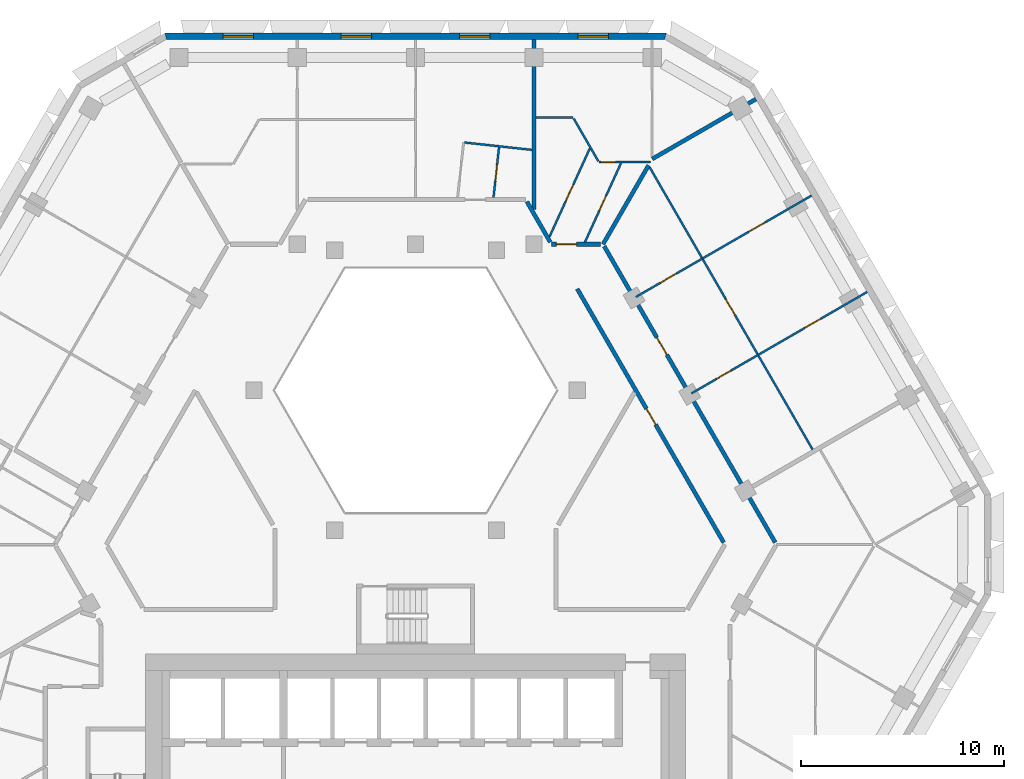
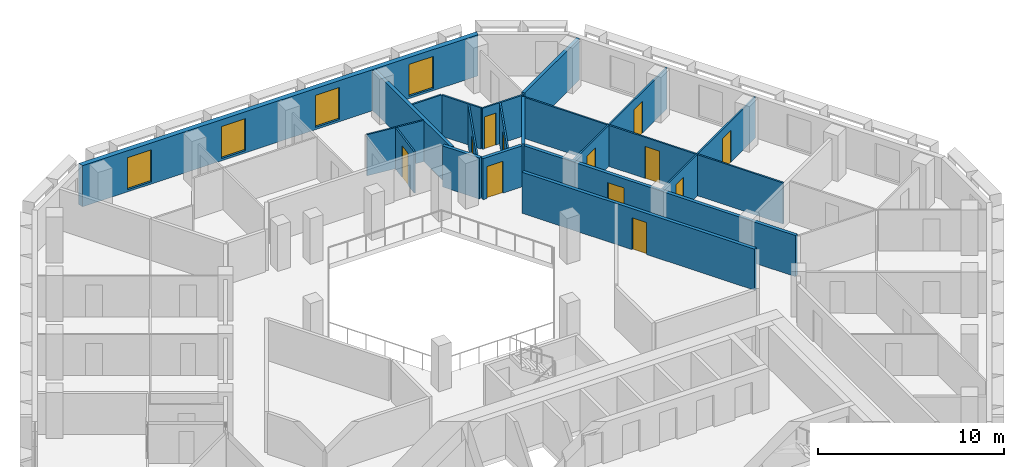
# One storey, part 8 of 15: 20 walls, 12 doors, 4 windows, 16 openings.
"""IFC4 building model written with IfcOpenShell, lengths in metres."""

from ifc_helpers import new_model, si_unit, direction, frame, frame_2d, origin, place, context, subcontext, project, spatial, polyline, rectangle, outline, extrude, material, layer, layer_set, type_object, element, fill, save


model = new_model("IFC4")

# Units and contexts
model_context = context("Model", 3, precision=1e-05, world=origin(), true_north=direction((0.0, 1.0)))
body_context = subcontext(model_context, "Body", "Model", "MODEL_VIEW")
ifc_project = project(units=[si_unit("LENGTHUNIT", "METRE"), si_unit("AREAUNIT", "SQUARE_METRE"), si_unit("VOLUMEUNIT", "CUBIC_METRE"), si_unit("PLANEANGLEUNIT", "RADIAN"), si_unit("MASSUNIT", "GRAM", prefix="KILO")], contexts=[model_context])

# Site, building, storey
site_placement = place(None, origin())
site = spatial("IfcSite", under=ifc_project, at=site_placement, CompositionType="ELEMENT")
building_placement = place(site_placement, origin())
building = spatial("IfcBuilding", under=site, at=building_placement, Name="Beryl Residences", CompositionType="ELEMENT")
storey_placement = place(building_placement, frame((0.0, 0.0, 123.60009765625)))
storey = spatial("IfcBuildingStorey", under=building, at=storey_placement, Name="L37", CompositionType="ELEMENT", Elevation=123.60009765625)

# Wall, openings, windows
ifc_material_1 = material(Name="Composite metal panel with mineral wool insulation")
ifc_layer_1 = layer(ifc_material_1, 0.300048828125)
ifc_layer_set_1 = layer_set([ifc_layer_1], Name="ES1 pale metal composite panel wall 300 mm")
wall_type_1 = type_object("IfcWallType", Name="ES1 pale metal composite panel wall 300 mm", PredefinedType="SOLIDWALL", material=ifc_layer_set_1)
wall_1_placement = place(storey_placement, frame((12.35498046875, 25.449951171875, 0.0), z_axis=(0.0, 0.0, 1.0), x_axis=(-1.0, 0.0, 0.0)))
wall_1 = element("IfcWall", 1, at=wall_1_placement, inside=storey, type_object=wall_type_1, Name="ES1 external wall L37 N", PredefinedType="SOLIDWALL", context=body_context, shape_type="SweptSolid", body=[
    extrude(outline(polyline([(0.0, -0.14990234375), (24.7099609375, -0.14990234375), (24.629638671875, 0.14990234375), (0.080322265625, 0.14990234375), (0.0, -0.14990234375)])), origin(), (0.0, 0.0, 1.0), 2.699951171875),
])
opening_1_placement = place(wall_1_placement, frame((2.85791015625, 0.0, 0.14990234375)))
opening_1 = element("IfcOpeningElement", 2, at=opening_1_placement, cuts=wall_1, Name="Opening W1", PredefinedType="OPENING", context=body_context, shape_type="SweptSolid", body=[
    extrude(rectangle(XDim=1.5, YDim=2.10009765625, at=frame_2d((0.75, 1.050048828125))), frame((0.0, 0.159912109375, 0.0), z_axis=(0.0, -1.0, 0.0), x_axis=(1.0, 0.0, 0.0)), (0.0, 0.0, 1.0), 0.320068359375),
])
opening_2_placement = place(wall_1_placement, frame((8.68896484375, 0.0, 0.14990234375)))
opening_2 = element("IfcOpeningElement", 3, at=opening_2_placement, cuts=wall_1, Name="Opening W1", PredefinedType="OPENING", context=body_context, shape_type="SweptSolid", body=[
    extrude(rectangle(XDim=1.5, YDim=2.10009765625, at=frame_2d((0.75, 1.050048828125))), frame((0.0, 0.159912109375, 0.0), z_axis=(0.0, -1.0, 0.0), x_axis=(1.0, 0.0, 0.0)), (0.0, 0.0, 1.0), 0.320068359375),
])
opening_3_placement = place(wall_1_placement, frame((14.52099609375, 0.0, 0.14990234375)))
opening_3 = element("IfcOpeningElement", 4, at=opening_3_placement, cuts=wall_1, Name="Opening W1", PredefinedType="OPENING", context=body_context, shape_type="SweptSolid", body=[
    extrude(rectangle(XDim=1.5, YDim=2.10009765625, at=frame_2d((0.75, 1.050048828125))), frame((0.0, 0.159912109375, 0.0), z_axis=(0.0, -1.0, 0.0), x_axis=(1.0, 0.0, 0.0)), (0.0, 0.0, 1.0), 0.320068359375),
])
opening_4_placement = place(wall_1_placement, frame((20.35205078125, 0.0, 0.14990234375)))
opening_4 = element("IfcOpeningElement", 5, at=opening_4_placement, cuts=wall_1, Name="Opening W1", PredefinedType="OPENING", context=body_context, shape_type="SweptSolid", body=[
    extrude(rectangle(XDim=1.5, YDim=2.10009765625, at=frame_2d((0.75, 1.050048828125))), frame((0.0, 0.159912109375, 0.0), z_axis=(0.0, -1.0, 0.0), x_axis=(1.0, 0.0, 0.0)), (0.0, 0.0, 1.0), 0.320068359375),
])
ifc_material_2 = material(Name="Aluminium and clear glass", Category="aluminium")
window_type = type_object("IfcWindowType", Name="W1 cell window 1500 x 2100 mm", PartitioningType="SINGLE_PANEL", PredefinedType="WINDOW", material=ifc_material_2)
window_1_placement = place(opening_1_placement, origin())
window_1 = element("IfcWindow", 6, at=window_1_placement, inside=storey, type_object=window_type, Name="W1 window L37 N 2", OverallHeight=2.10009765625, OverallWidth=1.5, PartitioningType="SINGLE_PANEL", PredefinedType="WINDOW", context=body_context, shape_type="SweptSolid", body=[
    extrude(rectangle(XDim=1.5, YDim=2.10009765625, at=frame_2d((0.75, 1.050048828125))), frame((0.0, 0.030029296875, 0.0), z_axis=(0.0, -1.0, 0.0), x_axis=(1.0, 0.0, 0.0)), (0.0, 0.0, 1.0), 0.06005859375),
])
fill(opening_1, window_1)
window_2_placement = place(opening_2_placement, origin())
window_2 = element("IfcWindow", 7, at=window_2_placement, inside=storey, type_object=window_type, Name="W1 window L37 N 4", OverallHeight=2.10009765625, OverallWidth=1.5, PartitioningType="SINGLE_PANEL", PredefinedType="WINDOW", context=body_context, shape_type="SweptSolid", body=[
    extrude(rectangle(XDim=1.5, YDim=2.10009765625, at=frame_2d((0.75, 1.050048828125))), frame((0.0, 0.030029296875, 0.0), z_axis=(0.0, -1.0, 0.0), x_axis=(1.0, 0.0, 0.0)), (0.0, 0.0, 1.0), 0.06005859375),
])
fill(opening_2, window_2)
window_3_placement = place(opening_3_placement, origin())
window_3 = element("IfcWindow", 8, at=window_3_placement, inside=storey, type_object=window_type, Name="W1 window L37 N 6", OverallHeight=2.10009765625, OverallWidth=1.5, PartitioningType="SINGLE_PANEL", PredefinedType="WINDOW", context=body_context, shape_type="SweptSolid", body=[
    extrude(rectangle(XDim=1.5, YDim=2.10009765625, at=frame_2d((0.75, 1.050048828125))), frame((0.0, 0.030029296875, 0.0), z_axis=(0.0, -1.0, 0.0), x_axis=(1.0, 0.0, 0.0)), (0.0, 0.0, 1.0), 0.06005859375),
])
fill(opening_3, window_3)
window_4_placement = place(opening_4_placement, origin())
window_4 = element("IfcWindow", 9, at=window_4_placement, inside=storey, type_object=window_type, Name="W1 window L37 N 8", OverallHeight=2.10009765625, OverallWidth=1.5, PartitioningType="SINGLE_PANEL", PredefinedType="WINDOW", context=body_context, shape_type="SweptSolid", body=[
    extrude(rectangle(XDim=1.5, YDim=2.10009765625, at=frame_2d((0.75, 1.050048828125))), frame((0.0, 0.030029296875, 0.0), z_axis=(0.0, -1.0, 0.0), x_axis=(1.0, 0.0, 0.0)), (0.0, 0.0, 1.0), 0.06005859375),
])
fill(opening_4, window_4)

# Wall
ifc_material_3 = material(Name="Gypsum board partition on steel studs", Category="steel")
ifc_layer_2 = layer(ifc_material_3, 0.10009765625)
ifc_layer_set_2 = layer_set([ifc_layer_2], Name="PT1 partition 100 mm gypsum board on steel studs")
wall_type_2 = type_object("IfcWallType", Name="PT1 partition 100 mm gypsum board on steel studs", PredefinedType="PARTITIONING", material=ifc_layer_set_2)
wall_2_placement = place(storey_placement, frame((7.7919921875, 21.39599609375, 0.0), z_axis=(0.0, 0.0, 1.0), x_axis=(0.499821239653, -0.866128586522, 0.0)))
element("IfcWall", 10, at=wall_2_placement, inside=storey, type_object=wall_type_2, Name="Wall PT1 L37 002", PredefinedType="PARTITIONING", context=body_context, shape_type="SweptSolid", body=[
    extrude(rectangle(XDim=2.4248046875, YDim=0.10009765625, at=frame_2d((1.21240234375, 0.0))), origin(), (0.0, 0.0, 1.0), 2.699951171875),
])

# Wall, opening, door
wall_3_placement = place(storey_placement, frame((11.5390625, 18.986083984375, 0.0), z_axis=(0.0, 0.0, 1.0), x_axis=(0.500019453803, -0.866014171835, 0.0)))
wall_3 = element("IfcWall", 11, at=wall_3_placement, inside=storey, type_object=wall_type_2, Name="Wall PT1 L37 003", PredefinedType="PARTITIONING", context=body_context, shape_type="SweptSolid", body=[
    extrude(rectangle(XDim=16.057373046875, YDim=0.10009765625, at=frame_2d((8.02880859375, 0.0))), origin(), (0.0, 0.0, 1.0), 2.699951171875),
])
opening_5_placement = place(wall_3_placement, frame((7.47998046875, 0.0, 0.0)))
opening_5 = element("IfcOpeningElement", 12, at=opening_5_placement, cuts=wall_3, Name="Opening D1220", PredefinedType="OPENING", context=body_context, shape_type="SweptSolid", body=[
    extrude(rectangle(XDim=0.89990234375, YDim=2.10009765625, at=frame_2d((0.449951171875, 1.050048828125))), frame((0.0, 0.06005859375, 0.0), z_axis=(0.0, -1.0, 0.0), x_axis=(1.0, 0.0, 0.0)), (0.0, 0.0, 1.0), 0.1201171875),
])
ifc_material_4 = material(Name="Timber door leaf", Category="wood")
door_type_1 = type_object("IfcDoorType", Name="D2 room door 900 x 2100 mm", OperationType="SINGLE_SWING_LEFT", PredefinedType="DOOR", material=ifc_material_4)
door_1_placement = place(opening_5_placement, origin())
door_1 = element("IfcDoor", 13, at=door_1_placement, inside=storey, type_object=door_type_1, Name="Door D1220 L37 001", OperationType="SINGLE_SWING_RIGHT", OverallHeight=2.10009765625, OverallWidth=0.89990234375, PredefinedType="DOOR", context=body_context, shape_type="SweptSolid", body=[
    extrude(rectangle(XDim=0.89990234375, YDim=2.10009765625, at=frame_2d((0.449951171875, 1.050048828125))), frame((0.0, 0.02490234375, 0.0), z_axis=(0.0, -1.0, 0.0), x_axis=(1.0, 0.0, 0.0)), (0.0, 0.0, 1.0), 0.050048828125),
])
fill(opening_5, door_1)

# Wall
wall_4_placement = place(storey_placement, frame((2.4189453125, 20.212890625, 0.0), z_axis=(0.0, 0.0, 1.0), x_axis=(0.994022340378, -0.109176860325, 0.0)))
element("IfcWall", 14, at=wall_4_placement, inside=storey, type_object=wall_type_2, Name="Wall PT1 L37 005", PredefinedType="PARTITIONING", context=body_context, shape_type="SweptSolid", body=[
    extrude(rectangle(XDim=3.33203125, YDim=0.10009765625, at=frame_2d((1.666015625, 0.0))), origin(), (0.0, 0.0, 1.0), 2.699951171875),
])

# Wall, opening, door
wall_5_placement = place(storey_placement, frame((9.032958984375, 19.24609375, 0.0), z_axis=(0.0, 0.0, 1.0), x_axis=(1.0, 0.0, 0.0)))
wall_5 = element("IfcWall", 15, at=wall_5_placement, inside=storey, type_object=wall_type_2, Name="Wall PT1 L37 026", PredefinedType="PARTITIONING", context=body_context, shape_type="SweptSolid", body=[
    extrude(rectangle(XDim=2.541015625, YDim=0.10009765625, at=frame_2d((1.2705078125, 0.0))), origin(), (0.0, 0.0, 1.0), 2.699951171875),
])
opening_6_placement = place(wall_5_placement, frame((0.116943359375, 0.0, 0.0)))
opening_6 = element("IfcOpeningElement", 16, at=opening_6_placement, cuts=wall_5, Name="Opening D1228", PredefinedType="OPENING", context=body_context, shape_type="SweptSolid", body=[
    extrude(rectangle(XDim=0.699951171875, YDim=2.10009765625, at=frame_2d((0.35009765625, 1.050048828125))), frame((0.0, 0.06005859375, 0.0), z_axis=(0.0, -1.0, 0.0), x_axis=(1.0, 0.0, 0.0)), (0.0, 0.0, 1.0), 0.1201171875),
])
ifc_material_5 = material(Name="Timber door leaf", Category="wood")
door_type_2 = type_object("IfcDoorType", Name="D14 room door 700 x 2100 mm", OperationType="SINGLE_SWING_LEFT", PredefinedType="DOOR", material=ifc_material_5)
door_2_placement = place(opening_6_placement, origin())
door_2 = element("IfcDoor", 17, at=door_2_placement, inside=storey, type_object=door_type_2, Name="Door D1228 L37 001", OperationType="SINGLE_SWING_RIGHT", OverallHeight=2.10009765625, OverallWidth=0.699951171875, PredefinedType="DOOR", context=body_context, shape_type="SweptSolid", body=[
    extrude(rectangle(XDim=0.699951171875, YDim=2.10009765625, at=frame_2d((0.35009765625, 1.050048828125))), frame((0.0, 0.02490234375, 0.0), z_axis=(0.0, -1.0, 0.0), x_axis=(1.0, 0.0, 0.0)), (0.0, 0.0, 1.0), 0.050048828125),
])
fill(opening_6, door_2)

# Wall
wall_6_placement = place(storey_placement, frame((5.930908203125, 21.446044921875, 0.0), z_axis=(0.0, 0.0, 1.0), x_axis=(1.0, 0.0, 0.0)))
element("IfcWall", 18, at=wall_6_placement, inside=storey, type_object=wall_type_2, Name="Wall PT1 L37 028", PredefinedType="PARTITIONING", context=body_context, shape_type="SweptSolid", body=[
    extrude(rectangle(XDim=1.83203125, YDim=0.10009765625, at=frame_2d((0.916015625, 0.0))), origin(), (0.0, 0.0, 1.0), 2.699951171875),
])

# Wall, opening, door
wall_7_placement = place(storey_placement, frame((8.345947265625, 15.300048828125, 0.0), z_axis=(0.0, 0.0, 1.0), x_axis=(0.415189790387, 0.909734817383, 0.0)))
wall_7 = element("IfcWall", 19, at=wall_7_placement, inside=storey, type_object=wall_type_2, Name="Wall PT1 L37 033", PredefinedType="PARTITIONING", context=body_context, shape_type="SweptSolid", body=[
    extrude(rectangle(XDim=4.282470703125, YDim=0.10009765625, at=frame_2d((2.14111328125, 0.0))), origin(), (0.0, 0.0, 1.0), 2.699951171875),
])
opening_7_placement = place(wall_7_placement, frame((1.714111328125, 0.0, 0.0)))
opening_7 = element("IfcOpeningElement", 20, at=opening_7_placement, cuts=wall_7, Name="Opening D1227", PredefinedType="OPENING", context=body_context, shape_type="SweptSolid", body=[
    extrude(rectangle(XDim=0.800048828125, YDim=2.10009765625, at=frame_2d((0.39990234375, 1.050048828125))), frame((0.0, 0.06005859375, 0.0), z_axis=(0.0, -1.0, 0.0), x_axis=(1.0, 0.0, 0.0)), (0.0, 0.0, 1.0), 0.1201171875),
])
ifc_material_6 = material(Name="Timber door leaf", Category="wood")
door_type_3 = type_object("IfcDoorType", Name="D3 bathroom door 800 x 2100 mm", OperationType="SINGLE_SWING_LEFT", PredefinedType="DOOR", material=ifc_material_6)
door_3_placement = place(opening_7_placement, origin())
door_3 = element("IfcDoor", 21, at=door_3_placement, inside=storey, type_object=door_type_3, Name="Door D1227 L37 001", OperationType="SINGLE_SWING_LEFT", OverallHeight=2.10009765625, OverallWidth=0.800048828125, PredefinedType="DOOR", context=body_context, shape_type="SweptSolid", body=[
    extrude(rectangle(XDim=0.800048828125, YDim=2.10009765625, at=frame_2d((0.39990234375, 1.050048828125))), frame((0.0, 0.02490234375, 0.0), z_axis=(0.0, -1.0, 0.0), x_axis=(1.0, 0.0, 0.0)), (0.0, 0.0, 1.0), 0.050048828125),
])
fill(opening_7, door_3)

wall_8_placement = place(storey_placement, frame((6.60009765625, 15.569091796875, 0.0), z_axis=(0.0, 0.0, 1.0), x_axis=(0.415221636251, 0.909720282718, 0.0)))
wall_8 = element("IfcWall", 22, at=wall_8_placement, inside=storey, type_object=wall_type_2, Name="Wall PT1 L37 034", PredefinedType="PARTITIONING", context=body_context, shape_type="SweptSolid", body=[
    extrude(rectangle(XDim=4.78271484375, YDim=0.10009765625, at=frame_2d((2.391357421875, 0.0))), origin(), (0.0, 0.0, 1.0), 2.699951171875),
])
opening_8_placement = place(wall_8_placement, frame((1.910888671875, 0.0, 0.0)))
opening_8 = element("IfcOpeningElement", 23, at=opening_8_placement, cuts=wall_8, Name="Opening D1226", PredefinedType="OPENING", context=body_context, shape_type="SweptSolid", body=[
    extrude(rectangle(XDim=0.89990234375, YDim=2.10009765625, at=frame_2d((0.449951171875, 1.050048828125))), frame((0.0, 0.06005859375, 0.0), z_axis=(0.0, -1.0, 0.0), x_axis=(1.0, 0.0, 0.0)), (0.0, 0.0, 1.0), 0.1201171875),
])
door_4_placement = place(opening_8_placement, origin())
door_4 = element("IfcDoor", 24, at=door_4_placement, inside=storey, type_object=door_type_1, Name="Door D1226 L37 001", OperationType="SINGLE_SWING_RIGHT", OverallHeight=2.10009765625, OverallWidth=0.89990234375, PredefinedType="DOOR", context=body_context, shape_type="SweptSolid", body=[
    extrude(rectangle(XDim=0.89990234375, YDim=2.10009765625, at=frame_2d((0.449951171875, 1.050048828125))), frame((0.0, 0.02490234375, 0.0), z_axis=(0.0, -1.0, 0.0), x_axis=(1.0, 0.0, 0.0)), (0.0, 0.0, 1.0), 0.050048828125),
])
fill(opening_8, door_4)

wall_9_placement = place(storey_placement, frame((3.840087890625, 17.5, 0.0), z_axis=(0.0, 0.0, 1.0), x_axis=(0.109141067014, 0.994026271027, 0.0)))
wall_9 = element("IfcWall", 25, at=wall_9_placement, inside=storey, type_object=wall_type_2, Name="Wall PT1 L37 037", PredefinedType="PARTITIONING", context=body_context, shape_type="SweptSolid", body=[
    extrude(rectangle(XDim=2.491943359375, YDim=0.10009765625, at=frame_2d((1.24609375, 0.0))), origin(), (0.0, 0.0, 1.0), 2.699951171875),
])
opening_9_placement = place(wall_9_placement, frame((0.820068359375, 0.0, 0.0)))
opening_9 = element("IfcOpeningElement", 26, at=opening_9_placement, cuts=wall_9, Name="Opening D1232", PredefinedType="OPENING", context=body_context, shape_type="SweptSolid", body=[
    extrude(rectangle(XDim=0.800048828125, YDim=2.10009765625, at=frame_2d((0.39990234375, 1.050048828125))), frame((0.0, 0.06005859375, 0.0), z_axis=(0.0, -1.0, 0.0), x_axis=(1.0, 0.0, 0.0)), (0.0, 0.0, 1.0), 0.1201171875),
])
door_5_placement = place(opening_9_placement, origin())
door_5 = element("IfcDoor", 27, at=door_5_placement, inside=storey, type_object=door_type_3, Name="Door D1232 L37 001", OperationType="SINGLE_SWING_RIGHT", OverallHeight=2.10009765625, OverallWidth=0.800048828125, PredefinedType="DOOR", context=body_context, shape_type="SweptSolid", body=[
    extrude(rectangle(XDim=0.800048828125, YDim=2.10009765625, at=frame_2d((0.39990234375, 1.050048828125))), frame((0.0, 0.02490234375, 0.0), z_axis=(0.0, -1.0, 0.0), x_axis=(1.0, 0.0, 0.0)), (0.0, 0.0, 1.0), 0.050048828125),
])
fill(opening_9, door_5)

wall_10_placement = place(storey_placement, frame((13.596923828125, 7.85009765625, 0.0), z_axis=(0.0, 0.0, 1.0), x_axis=(0.8660642533, 0.499932704626, 0.0)))
wall_10 = element("IfcWall", 28, at=wall_10_placement, inside=storey, type_object=wall_type_2, Name="Wall PT1 L37 051", PredefinedType="PARTITIONING", context=body_context, shape_type="SweptSolid", body=[
    extrude(rectangle(XDim=3.7861328125, YDim=0.10009765625, at=frame_2d((1.89306640625, 0.0))), origin(), (0.0, 0.0, 1.0), 2.699951171875),
])
opening_10_placement = place(wall_10_placement, frame((1.443115234375, 0.0, 0.0)))
opening_10 = element("IfcOpeningElement", 29, at=opening_10_placement, cuts=wall_10, Name="Opening D1222", PredefinedType="OPENING", context=body_context, shape_type="SweptSolid", body=[
    extrude(rectangle(XDim=0.800048828125, YDim=2.10009765625, at=frame_2d((0.39990234375, 1.050048828125))), frame((0.0, 0.06005859375, 0.0), z_axis=(0.0, -1.0, 0.0), x_axis=(1.0, 0.0, 0.0)), (0.0, 0.0, 1.0), 0.1201171875),
])
door_6_placement = place(opening_10_placement, origin())
door_6 = element("IfcDoor", 30, at=door_6_placement, inside=storey, type_object=door_type_3, Name="Door D1222 L37 001", OperationType="SINGLE_SWING_RIGHT", OverallHeight=2.10009765625, OverallWidth=0.800048828125, PredefinedType="DOOR", context=body_context, shape_type="SweptSolid", body=[
    extrude(rectangle(XDim=0.800048828125, YDim=2.10009765625, at=frame_2d((0.39990234375, 1.050048828125))), frame((0.0, 0.02490234375, 0.0), z_axis=(0.0, -1.0, 0.0), x_axis=(1.0, 0.0, 0.0)), (0.0, 0.0, 1.0), 0.050048828125),
])
fill(opening_10, door_6)

wall_11_placement = place(storey_placement, frame((10.85400390625, 12.60009765625, 0.0), z_axis=(0.0, 0.0, 1.0), x_axis=(0.8660642533, 0.499932704626, 0.0)))
wall_11 = element("IfcWall", 31, at=wall_11_placement, inside=storey, type_object=wall_type_2, Name="Wall PT1 L37 052", PredefinedType="PARTITIONING", context=body_context, shape_type="SweptSolid", body=[
    extrude(rectangle(XDim=3.7861328125, YDim=0.10009765625, at=frame_2d((1.89306640625, 0.0))), origin(), (0.0, 0.0, 1.0), 2.699951171875),
])
opening_11_placement = place(wall_11_placement, frame((1.39306640625, 0.0, 0.0)))
opening_11 = element("IfcOpeningElement", 32, at=opening_11_placement, cuts=wall_11, Name="Opening D1221", PredefinedType="OPENING", context=body_context, shape_type="SweptSolid", body=[
    extrude(rectangle(XDim=0.89990234375, YDim=2.10009765625, at=frame_2d((0.449951171875, 1.050048828125))), frame((0.0, 0.06005859375, 0.0), z_axis=(0.0, -1.0, 0.0), x_axis=(1.0, 0.0, 0.0)), (0.0, 0.0, 1.0), 0.1201171875),
])
door_7_placement = place(opening_11_placement, origin())
door_7 = element("IfcDoor", 33, at=door_7_placement, inside=storey, type_object=door_type_1, Name="Door D1221 L37 001", OperationType="SINGLE_SWING_LEFT", OverallHeight=2.10009765625, OverallWidth=0.89990234375, PredefinedType="DOOR", context=body_context, shape_type="SweptSolid", body=[
    extrude(rectangle(XDim=0.89990234375, YDim=2.10009765625, at=frame_2d((0.449951171875, 1.050048828125))), frame((0.0, 0.02490234375, 0.0), z_axis=(0.0, -1.0, 0.0), x_axis=(1.0, 0.0, 0.0)), (0.0, 0.0, 1.0), 0.050048828125),
])
fill(opening_11, door_7)

wall_12_placement = place(storey_placement, frame((16.8759765625, 9.742919921875, 0.0), z_axis=(0.0, 0.0, 1.0), x_axis=(0.865997794851, 0.500047817026, 0.0)))
wall_12 = element("IfcWall", 34, at=wall_12_placement, inside=storey, type_object=wall_type_2, Name="Wall PT1 L37 053", PredefinedType="PARTITIONING", context=body_context, shape_type="SweptSolid", body=[
    extrude(rectangle(XDim=6.2138671875, YDim=0.10009765625, at=frame_2d((3.10693359375, 0.0))), origin(), (0.0, 0.0, 1.0), 2.699951171875),
])
opening_12_placement = place(wall_12_placement, frame((2.656982421875, 0.0, 0.0)))
opening_12 = element("IfcOpeningElement", 35, at=opening_12_placement, cuts=wall_12, Name="Opening D1223", PredefinedType="OPENING", context=body_context, shape_type="SweptSolid", body=[
    extrude(rectangle(XDim=0.89990234375, YDim=2.10009765625, at=frame_2d((0.449951171875, 1.050048828125))), frame((0.0, 0.06005859375, 0.0), z_axis=(0.0, -1.0, 0.0), x_axis=(1.0, 0.0, 0.0)), (0.0, 0.0, 1.0), 0.1201171875),
])
door_8_placement = place(opening_12_placement, origin())
door_8 = element("IfcDoor", 36, at=door_8_placement, inside=storey, type_object=door_type_1, Name="Door D1223 L37 001", OperationType="SINGLE_SWING_LEFT", OverallHeight=2.10009765625, OverallWidth=0.89990234375, PredefinedType="DOOR", context=body_context, shape_type="SweptSolid", body=[
    extrude(rectangle(XDim=0.89990234375, YDim=2.10009765625, at=frame_2d((0.449951171875, 1.050048828125))), frame((0.0, 0.02490234375, 0.0), z_axis=(0.0, -1.0, 0.0), x_axis=(1.0, 0.0, 0.0)), (0.0, 0.0, 1.0), 0.050048828125),
])
fill(opening_12, door_8)

wall_13_placement = place(storey_placement, frame((14.133056640625, 14.492919921875, 0.0), z_axis=(0.0, 0.0, 1.0), x_axis=(0.866056028236, 0.499946953142, 0.0)))
wall_13 = element("IfcWall", 37, at=wall_13_placement, inside=storey, type_object=wall_type_2, Name="Wall PT1 L37 054", PredefinedType="PARTITIONING", context=body_context, shape_type="SweptSolid", body=[
    extrude(rectangle(XDim=6.213134765625, YDim=0.10009765625, at=frame_2d((3.1064453125, 0.0))), origin(), (0.0, 0.0, 1.0), 2.699951171875),
])
opening_13_placement = place(wall_13_placement, frame((2.656982421875, 0.0, 0.0)))
opening_13 = element("IfcOpeningElement", 38, at=opening_13_placement, cuts=wall_13, Name="Opening D1224", PredefinedType="OPENING", context=body_context, shape_type="SweptSolid", body=[
    extrude(rectangle(XDim=0.89990234375, YDim=2.10009765625, at=frame_2d((0.449951171875, 1.050048828125))), frame((0.0, 0.06005859375, 0.0), z_axis=(0.0, -1.0, 0.0), x_axis=(1.0, 0.0, 0.0)), (0.0, 0.0, 1.0), 0.1201171875),
])
door_9_placement = place(opening_13_placement, origin())
door_9 = element("IfcDoor", 39, at=door_9_placement, inside=storey, type_object=door_type_1, Name="Door D1224 L37 001", OperationType="SINGLE_SWING_RIGHT", OverallHeight=2.10009765625, OverallWidth=0.89990234375, PredefinedType="DOOR", context=body_context, shape_type="SweptSolid", body=[
    extrude(rectangle(XDim=0.89990234375, YDim=2.10009765625, at=frame_2d((0.449951171875, 1.050048828125))), frame((0.0, 0.02490234375, 0.0), z_axis=(0.0, -1.0, 0.0), x_axis=(1.0, 0.0, 0.0)), (0.0, 0.0, 1.0), 0.050048828125),
])
fill(opening_13, door_9)

# Walls
ifc_material_7 = material(Name="Acoustic double stud gypsum board wall")
ifc_layer_3 = layer(ifc_material_7, 0.199951171875)
ifc_layer_set_3 = layer_set([ifc_layer_3], Name="PT3 party wall 200 mm acoustic double stud")
wall_type_3 = type_object("IfcWallType", Name="PT3 party wall 200 mm acoustic double stud", PredefinedType="PARTITIONING", material=ifc_layer_set_3)
wall_14_placement = place(storey_placement, frame((9.238037109375, 15.199951171875, 0.0), z_axis=(0.0, 0.0, 1.0), x_axis=(0.499890453443, 0.866088641281, 0.0)))
element("IfcWall", 40, at=wall_14_placement, inside=storey, type_object=wall_type_3, Name="Wall PT3 L37 008", PredefinedType="PARTITIONING", context=body_context, shape_type="SweptSolid", body=[
    extrude(rectangle(XDim=4.48681640625, YDim=0.199951171875, at=frame_2d((2.243408203125, 0.0))), origin(), (0.0, 0.0, 1.0), 2.699951171875),
])
wall_15_placement = place(storey_placement, frame((5.8310546875, 16.903076171875, 0.0), z_axis=(0.0, 0.0, 1.0), x_axis=(0.0, 1.0, 0.0)))
element("IfcWall", 41, at=wall_15_placement, inside=storey, type_object=wall_type_3, Name="Wall PT3 L37 009", PredefinedType="PARTITIONING", context=body_context, shape_type="SweptSolid", body=[
    extrude(rectangle(XDim=8.39697265625, YDim=0.199951171875, at=frame_2d((4.198486328125, 0.0))), origin(), (0.0, 0.0, 1.0), 2.699951171875),
])
wall_16_placement = place(storey_placement, frame((11.6630859375, 19.39990234375, 0.0), z_axis=(0.0, 0.0, 1.0), x_axis=(0.865941558533, 0.500145196124, 0.0)))
element("IfcWall", 42, at=wall_16_placement, inside=storey, type_object=wall_type_3, Name="Wall PT3 L37 014", PredefinedType="PARTITIONING", context=body_context, shape_type="SweptSolid", body=[
    extrude(rectangle(XDim=5.898681640625, YDim=0.199951171875, at=frame_2d((2.94921875, 0.0))), origin(), (0.0, 0.0, 1.0), 2.699951171875),
])
ifc_material_8 = material(Name="Double stud gypsum board wall")
ifc_layer_4 = layer(ifc_material_8, 0.199951171875)
ifc_layer_set_4 = layer_set([ifc_layer_4], Name="PT4 corridor wall 200 mm double stud")
wall_type_4 = type_object("IfcWallType", Name="PT4 corridor wall 200 mm double stud", PredefinedType="PARTITIONING", material=ifc_layer_set_4)
wall_17_placement = place(storey_placement, frame((5.485107421875, 17.300048828125, 0.0), z_axis=(0.0, 0.0, 1.0), x_axis=(0.500027479704, -0.866009537788, 0.0)))
element("IfcWall", 43, at=wall_17_placement, inside=storey, type_object=wall_type_4, Name="Wall PT4 L37 005", PredefinedType="PARTITIONING", context=body_context, shape_type="SweptSolid", body=[
    extrude(rectangle(XDim=2.309326171875, YDim=0.199951171875, at=frame_2d((1.15478515625, 0.0))), origin(), (0.0, 0.0, 1.0), 2.699951171875),
])

# Wall, opening, door
wall_18_placement = place(storey_placement, frame((7.967041015625, 13.0, 0.0), z_axis=(0.0, 0.0, 1.0), x_axis=(0.50003774998, -0.866003607726, 0.0)))
wall_18 = element("IfcWall", 44, at=wall_18_placement, inside=storey, type_object=wall_type_4, Name="Wall PT4 L37 006", PredefinedType="PARTITIONING", context=body_context, shape_type="SweptSolid", body=[
    extrude(rectangle(XDim=14.43310546875, YDim=0.199951171875, at=frame_2d((7.216552734375, 0.0))), origin(), (0.0, 0.0, 1.0), 2.699951171875),
])
opening_14_placement = place(wall_18_placement, frame((6.823974609375, 0.0, 0.0)))
opening_14 = element("IfcOpeningElement", 45, at=opening_14_placement, cuts=wall_18, Name="Opening D1255", PredefinedType="OPENING", context=body_context, shape_type="SweptSolid", body=[
    extrude(rectangle(XDim=0.89990234375, YDim=2.10009765625, at=frame_2d((0.449951171875, 1.050048828125))), frame((0.0, 0.10986328125, 0.0), z_axis=(0.0, -1.0, 0.0), x_axis=(1.0, 0.0, 0.0)), (0.0, 0.0, 1.0), 0.219970703125),
])
door_10_placement = place(opening_14_placement, origin())
door_10 = element("IfcDoor", 46, at=door_10_placement, inside=storey, type_object=door_type_1, Name="Door D1255 L37 001", OperationType="SINGLE_SWING_LEFT", OverallHeight=2.10009765625, OverallWidth=0.89990234375, PredefinedType="DOOR", context=body_context, shape_type="SweptSolid", body=[
    extrude(rectangle(XDim=0.89990234375, YDim=2.10009765625, at=frame_2d((0.449951171875, 1.050048828125))), frame((0.0, 0.02490234375, 0.0), z_axis=(0.0, -1.0, 0.0), x_axis=(1.0, 0.0, 0.0)), (0.0, 0.0, 1.0), 0.050048828125),
])
fill(opening_14, door_10)

wall_19_placement = place(storey_placement, frame((9.2958984375, 15.10009765625, 0.0), z_axis=(0.0, 0.0, 1.0), x_axis=(0.499974024244, -0.866040400375, 0.0)))
wall_19 = element("IfcWall", 47, at=wall_19_placement, inside=storey, type_object=wall_type_4, Name="Wall PT4 L37 007", PredefinedType="PARTITIONING", context=body_context, shape_type="SweptSolid", body=[
    extrude(rectangle(XDim=16.857421875, YDim=0.199951171875, at=frame_2d((8.4287109375, 0.0))), origin(), (0.0, 0.0, 1.0), 2.699951171875),
])
opening_15_placement = place(wall_19_placement, frame((5.18701171875, 0.0, 0.0)))
opening_15 = element("IfcOpeningElement", 48, at=opening_15_placement, cuts=wall_19, Name="Opening D1219", PredefinedType="OPENING", context=body_context, shape_type="SweptSolid", body=[
    extrude(rectangle(XDim=1.0, YDim=2.10009765625, at=frame_2d((0.5, 1.050048828125))), frame((0.0, 0.10986328125, 0.0), z_axis=(0.0, -1.0, 0.0), x_axis=(1.0, 0.0, 0.0)), (0.0, 0.0, 1.0), 0.219970703125),
])
ifc_material_9 = material(Name="Timber door leaf", Category="wood")
door_type_4 = type_object("IfcDoorType", Name="D1 flat entrance door 1000 x 2100 mm", OperationType="SINGLE_SWING_LEFT", PredefinedType="DOOR", material=ifc_material_9)
door_11_placement = place(opening_15_placement, origin())
door_11 = element("IfcDoor", 49, at=door_11_placement, inside=storey, type_object=door_type_4, Name="Door D1219 L37 001", OperationType="SINGLE_SWING_LEFT", OverallHeight=2.10009765625, OverallWidth=1.0, PredefinedType="DOOR", context=body_context, shape_type="SweptSolid", body=[
    extrude(rectangle(XDim=1.0, YDim=2.10009765625, at=frame_2d((0.5, 1.050048828125))), frame((0.0, 0.02490234375, 0.0), z_axis=(0.0, -1.0, 0.0), x_axis=(1.0, 0.0, 0.0)), (0.0, 0.0, 1.0), 0.050048828125),
])
fill(opening_15, door_11)

wall_20_placement = place(storey_placement, frame((6.697021484375, 15.199951171875, 0.0), z_axis=(0.0, 0.0, 1.0), x_axis=(1.0, 0.0, 0.0)))
wall_20 = element("IfcWall", 50, at=wall_20_placement, inside=storey, type_object=wall_type_4, Name="Wall PT4 L37 016", PredefinedType="PARTITIONING", context=body_context, shape_type="SweptSolid", body=[
    extrude(rectangle(XDim=2.425048828125, YDim=0.199951171875, at=frame_2d((1.21240234375, 0.0))), origin(), (0.0, 0.0, 1.0), 2.699951171875),
])
opening_16_placement = place(wall_20_placement, frame((0.242919921875, 0.0, 0.0)))
opening_16 = element("IfcOpeningElement", 51, at=opening_16_placement, cuts=wall_20, Name="Opening D1225", PredefinedType="OPENING", context=body_context, shape_type="SweptSolid", body=[
    extrude(rectangle(XDim=1.0, YDim=2.10009765625, at=frame_2d((0.5, 1.050048828125))), frame((0.0, 0.10986328125, 0.0), z_axis=(0.0, -1.0, 0.0), x_axis=(1.0, 0.0, 0.0)), (0.0, 0.0, 1.0), 0.219970703125),
])
door_12_placement = place(opening_16_placement, origin())
door_12 = element("IfcDoor", 52, at=door_12_placement, inside=storey, type_object=door_type_4, Name="Door D1225 L37 001", OperationType="SINGLE_SWING_LEFT", OverallHeight=2.10009765625, OverallWidth=1.0, PredefinedType="DOOR", context=body_context, shape_type="SweptSolid", body=[
    extrude(rectangle(XDim=1.0, YDim=2.10009765625, at=frame_2d((0.5, 1.050048828125))), frame((0.0, 0.02490234375, 0.0), z_axis=(0.0, -1.0, 0.0), x_axis=(1.0, 0.0, 0.0)), (0.0, 0.0, 1.0), 0.050048828125),
])
fill(opening_16, door_12)

save(model, "model.ifc")
